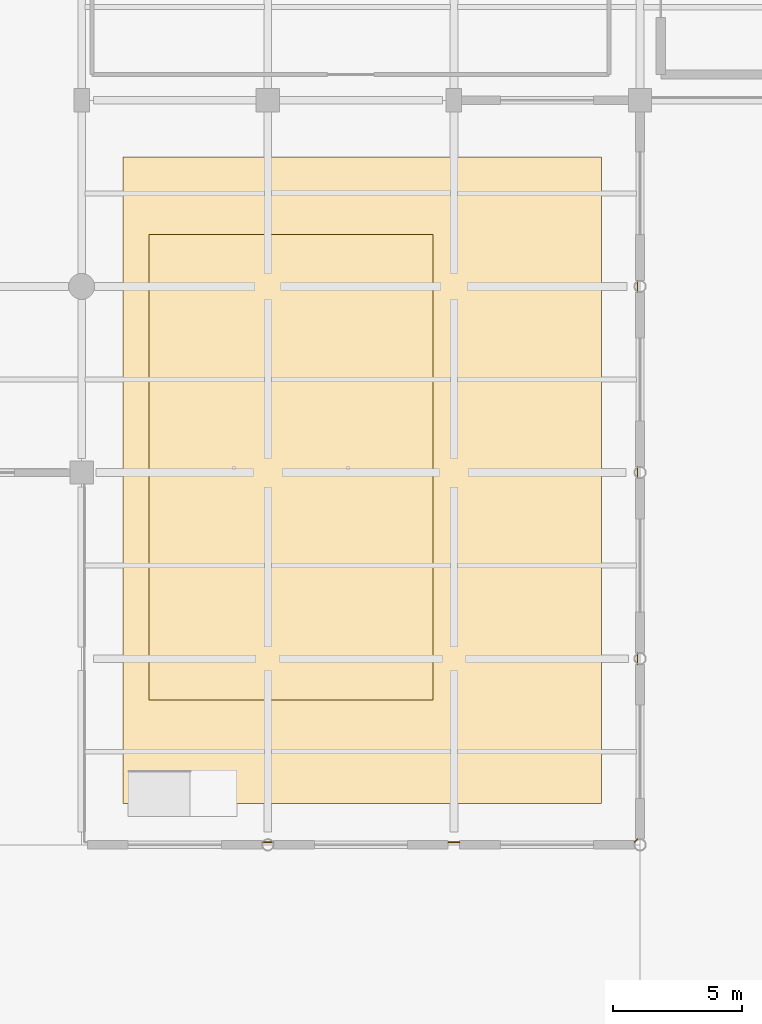
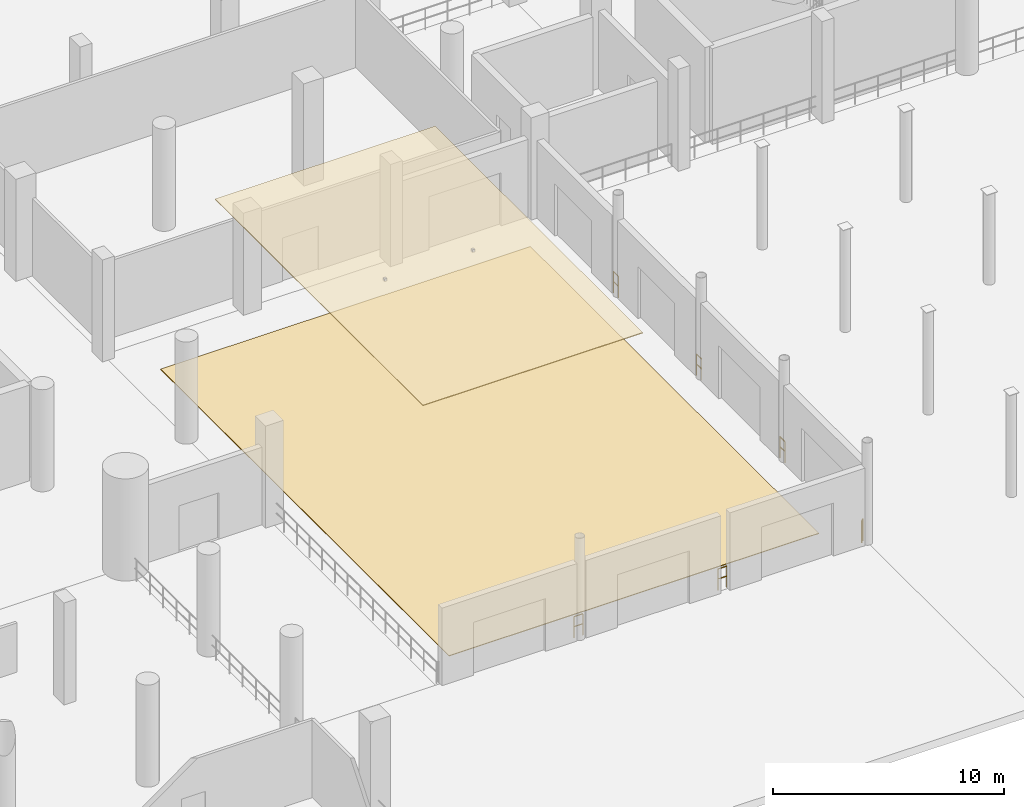
# One storey, part 53 of 58: 6 railings, 2 coverings.
"""IFC4 building model written with IfcOpenShell, lengths in metres."""

from ifc_helpers import new_model, si_unit, direction, frame, origin, origin_2d, place, context, subcontext, project, spatial, polyline, circle, outline, extrude, material, layer, layer_set, type_object, element, save


model = new_model("IFC4")

# Units and contexts
model_context = context("Model", 3, precision=1e-05, world=origin(), true_north=direction((0.0, 1.0)))
body_context = subcontext(model_context, "Body", "Model", "MODEL_VIEW")
ifc_project = project(units=[si_unit("LENGTHUNIT", "METRE"), si_unit("AREAUNIT", "SQUARE_METRE"), si_unit("VOLUMEUNIT", "CUBIC_METRE"), si_unit("PLANEANGLEUNIT", "RADIAN"), si_unit("MASSUNIT", "GRAM", prefix="KILO")], contexts=[model_context])

# Site, building, storey
site_placement = place(None, origin())
site = spatial("IfcSite", under=ifc_project, at=site_placement, CompositionType="ELEMENT")
building_placement = place(site_placement, origin())
building = spatial("IfcBuilding", under=site, at=building_placement, Name="Qandorah Velis Arena", CompositionType="ELEMENT")
storey_placement = place(building_placement, origin())
storey = spatial("IfcBuildingStorey", under=building, at=storey_placement, Name="L00", CompositionType="ELEMENT", Elevation=0.0)

# Coverings
ifc_material_1 = material(Name="Perforated mineral-fibre acoustic ceiling cloud", Category="gypsum")
ifc_layer_1 = layer(ifc_material_1, 0.044921875)
ifc_layer_set_1 = layer_set([ifc_layer_1], Name="Perforated mineral-fibre acoustic ceiling cloud")
covering_type_1 = type_object("IfcCoveringType", Name="ARC-COV-CEIL", PredefinedType="CEILING", material=ifc_layer_set_1)
covering_1_placement = place(storey_placement, frame((0.0, 0.0, 10.455078125)))
element("IfcCovering", 1, at=covering_1_placement, inside=storey, type_object=covering_type_1, Name="Acoustic ceiling cloud AC-01", PredefinedType="CEILING", context=body_context, shape_type="SweptSolid", body=[
    extrude(outline(polyline([(125.0, 20.0), (136.0, 20.0), (136.0, 38.0), (125.0, 38.0), (125.0, 20.0)])), origin(), (0.0, 0.0, 1.0), 0.044921875),
])
ifc_material_2 = material(Name="Polished Riyadh limestone terrazzo flooring", Category="masonry")
ifc_layer_2 = layer(ifc_material_2, 0.034912109375)
ifc_layer_set_2 = layer_set([ifc_layer_2], Name="Polished Riyadh limestone terrazzo flooring")
covering_type_2 = type_object("IfcCoveringType", Name="ARC-COV-FLOOR", PredefinedType="FLOORING", material=ifc_layer_set_2)
covering_2_placement = place(storey_placement, origin())
element("IfcCovering", 2, at=covering_2_placement, inside=storey, type_object=covering_type_2, Name="Polished terrazzo concourse flooring TF-01", PredefinedType="FLOORING", context=body_context, shape_type="SweptSolid", body=[
    extrude(outline(polyline([(124.0, 16.0), (142.5, 16.0), (142.5, 41.0), (124.0, 41.0), (124.0, 16.0)])), origin(), (0.0, 0.0, 1.0), 0.034912109375),
])

# Railings
ifc_material_3 = material(Name="Stainless steel 316", Category="steel")
railing_type = type_object("IfcRailingType", Name="ARC-RL-GRD1150", PredefinedType="GUARDRAIL", material=ifc_material_3)
for number, where, name in (
    (3, (143.89990234375, 36.219970703125, 0.0), "Slab edge safety guardrail L00-061"),
    (4, (143.89990234375, 29.02001953125, 0.0), "Slab edge safety guardrail L00-062"),
):
    element("IfcRailing", number, at=place(storey_placement, frame(where)), inside=storey, type_object=railing_type, Name=name, PredefinedType="GUARDRAIL", context=body_context, shape_type="SweptSolid", body=[
        extrude(circle(Radius=0.02392578125, at=origin_2d()), frame((0.0, 0.0, 1.1259765625), z_axis=(0.0, -1.0, 0.0), x_axis=(1.0, 0.0, 0.0)), (0.0, 0.0, 1.0), 0.43994140625),
        extrude(circle(Radius=0.02392578125, at=origin_2d()), frame((0.0, 0.0, 0.597900390625), z_axis=(0.0, -1.0, 0.0), x_axis=(1.0, 0.0, 0.0)), (0.0, 0.0, 1.0), 0.43994140625),
        extrude(circle(Radius=0.02099609375, at=origin_2d()), origin(), (0.0, 0.0, 1.0), 1.101806640625),
        extrude(circle(Radius=0.02099609375, at=origin_2d()), frame((0.0, -0.43994140625, 0.0)), (0.0, 0.0, 1.0), 1.101806640625),
    ])
railing_1_placement = place(storey_placement, frame((143.89990234375, 21.820068359375, 0.0)))
element("IfcRailing", 5, at=railing_1_placement, inside=storey, type_object=railing_type, Name="Slab edge safety guardrail L00-063", PredefinedType="GUARDRAIL", context=body_context, shape_type="SweptSolid", body=[
    extrude(circle(Radius=0.02392578125, at=origin_2d()), frame((0.0, 0.0, 1.1259765625), z_axis=(0.0, -1.0, 0.0), x_axis=(1.0, 0.0, 0.0)), (0.0, 0.0, 1.0), 0.440185546875),
    extrude(circle(Radius=0.02392578125, at=origin_2d()), frame((0.0, 0.0, 0.597900390625), z_axis=(0.0, -1.0, 0.0), x_axis=(1.0, 0.0, 0.0)), (0.0, 0.0, 1.0), 0.440185546875),
    extrude(circle(Radius=0.02099609375, at=origin_2d()), origin(), (0.0, 0.0, 1.0), 1.101806640625),
    extrude(circle(Radius=0.02099609375, at=origin_2d()), frame((0.0, -0.440185546875, 0.0)), (0.0, 0.0, 1.0), 1.101806640625),
])
railing_2_placement = place(storey_placement, frame((143.89990234375, 14.6201171875, 0.0)))
element("IfcRailing", 6, at=railing_2_placement, inside=storey, type_object=railing_type, Name="Slab edge safety guardrail L00-064", PredefinedType="GUARDRAIL", context=body_context, shape_type="SweptSolid", body=[
    extrude(circle(Radius=0.02392578125, at=origin_2d()), frame((0.0, 0.0, 1.1259765625), z_axis=(-0.706387080187, -0.707825750411, 0.0), x_axis=(0.707825750411, -0.706387080187, 0.0)), (0.0, 0.0, 1.0), 0.169677734375),
    extrude(circle(Radius=0.02392578125, at=origin_2d()), frame((0.0, 0.0, 0.597900390625), z_axis=(-0.706387080187, -0.707825750411, 0.0), x_axis=(0.707825750411, -0.706387080187, 0.0)), (0.0, 0.0, 1.0), 0.169677734375),
    extrude(circle(Radius=0.02099609375, at=origin_2d()), origin(), (0.0, 0.0, 1.0), 1.101806640625),
    extrude(circle(Radius=0.02099609375, at=origin_2d()), frame((-0.119873046875, -0.1201171875, 0.0)), (0.0, 0.0, 1.0), 1.101806640625),
])
railing_3_placement = place(storey_placement, frame((137.02001953125, 14.5, 0.0)))
element("IfcRailing", 7, at=railing_3_placement, inside=storey, type_object=railing_type, Name="Slab edge safety guardrail L00-065", PredefinedType="GUARDRAIL", context=body_context, shape_type="SweptSolid", body=[
    extrude(circle(Radius=0.02392578125, at=origin_2d()), frame((0.0, 0.0, 1.1259765625), z_axis=(-1.0, 0.0, 0.0), x_axis=(0.0, -1.0, 0.0)), (0.0, 0.0, 1.0), 0.43994140625),
    extrude(circle(Radius=0.02392578125, at=origin_2d()), frame((0.0, 0.0, 0.597900390625), z_axis=(-1.0, 0.0, 0.0), x_axis=(0.0, -1.0, 0.0)), (0.0, 0.0, 1.0), 0.43994140625),
    extrude(circle(Radius=0.02099609375, at=origin_2d()), origin(), (0.0, 0.0, 1.0), 1.101806640625),
    extrude(circle(Radius=0.02099609375, at=origin_2d()), frame((-0.43994140625, 0.0, 0.0)), (0.0, 0.0, 1.0), 1.101806640625),
])
railing_4_placement = place(storey_placement, frame((129.820068359375, 14.5, 0.0)))
element("IfcRailing", 8, at=railing_4_placement, inside=storey, type_object=railing_type, Name="Slab edge safety guardrail L00-066", PredefinedType="GUARDRAIL", context=body_context, shape_type="SweptSolid", body=[
    extrude(circle(Radius=0.02392578125, at=origin_2d()), frame((0.0, 0.0, 1.1259765625), z_axis=(-1.0, 0.0, 0.0), x_axis=(0.0, -1.0, 0.0)), (0.0, 0.0, 1.0), 0.440185546875),
    extrude(circle(Radius=0.02392578125, at=origin_2d()), frame((0.0, 0.0, 0.597900390625), z_axis=(-1.0, 0.0, 0.0), x_axis=(0.0, -1.0, 0.0)), (0.0, 0.0, 1.0), 0.440185546875),
    extrude(circle(Radius=0.02099609375, at=origin_2d()), origin(), (0.0, 0.0, 1.0), 1.101806640625),
    extrude(circle(Radius=0.02099609375, at=origin_2d()), frame((-0.440185546875, 0.0, 0.0)), (0.0, 0.0, 1.0), 1.101806640625),
])

save(model, "model.ifc")
